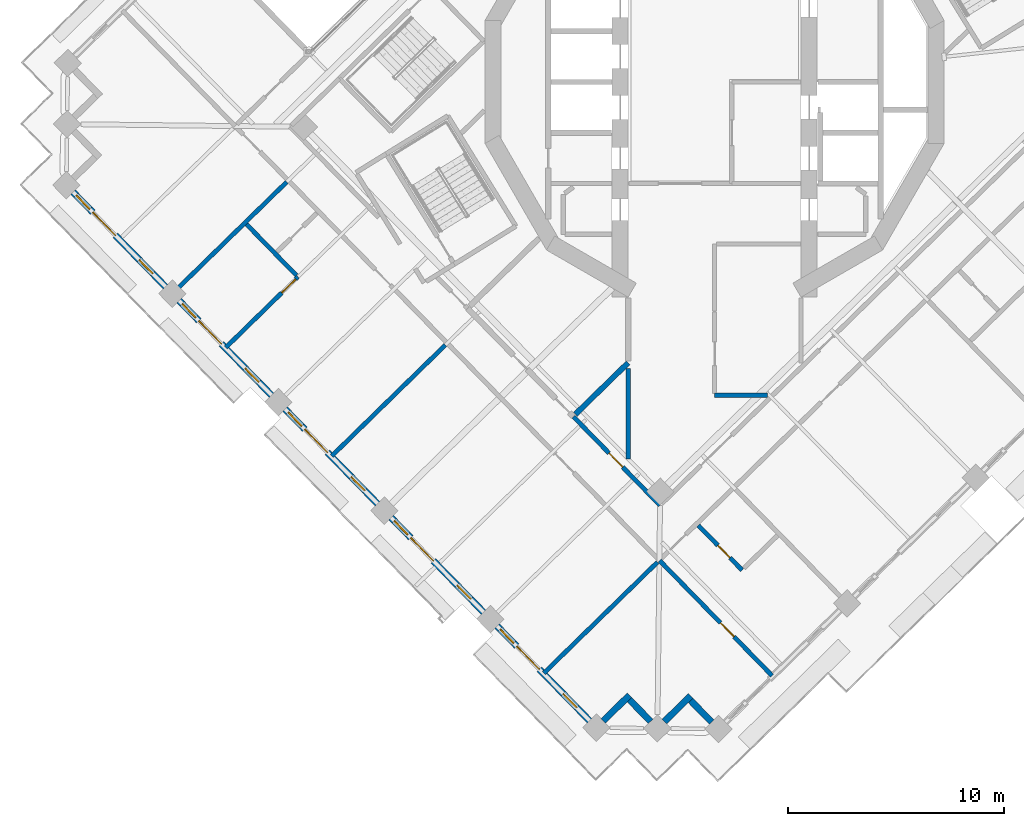
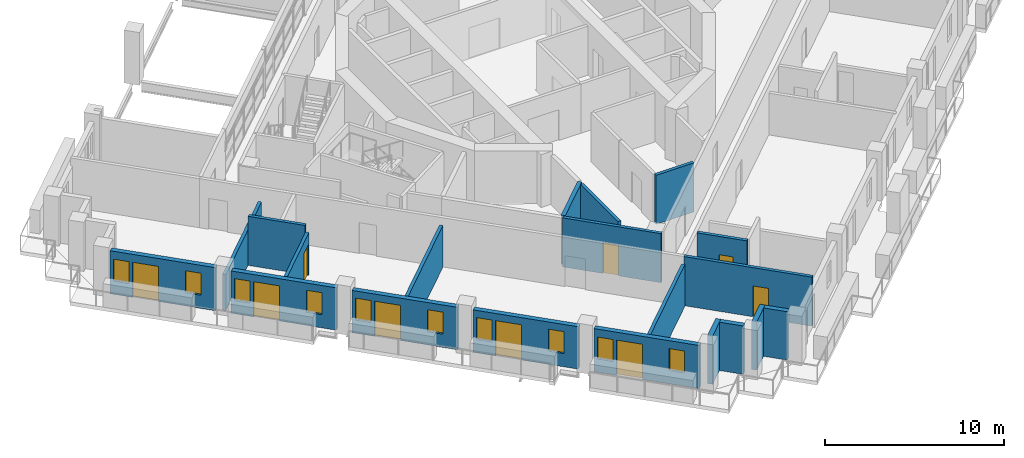
# One storey, part 7 of 21: 20 walls, 10 windows, 9 doors, 19 openings.
"""IFC4 building model written with IfcOpenShell, lengths in metres."""

from ifc_helpers import new_model, si_unit, direction, frame, frame_2d, origin, place, context, subcontext, project, spatial, rectangle, extrude, material, layer, layer_set, type_object, element, fill, save


model = new_model("IFC4")

# Units and contexts
model_context = context("Model", 3, precision=1e-05, world=origin(), true_north=direction((0.0, 1.0)))
body_context = subcontext(model_context, "Body", "Model", "MODEL_VIEW")
ifc_project = project(units=[si_unit("LENGTHUNIT", "METRE"), si_unit("AREAUNIT", "SQUARE_METRE"), si_unit("VOLUMEUNIT", "CUBIC_METRE"), si_unit("PLANEANGLEUNIT", "RADIAN"), si_unit("MASSUNIT", "GRAM", prefix="KILO")], contexts=[model_context])

# Site, building, storey
site_placement = place(None, origin())
site = spatial("IfcSite", under=ifc_project, at=site_placement, CompositionType="ELEMENT")
building_placement = place(site_placement, origin())
building = spatial("IfcBuilding", under=site, at=building_placement, Name="Cantera Rosa Tower", CompositionType="ELEMENT")
storey_placement = place(building_placement, frame((0.0, 0.0, 230.60009765625)))
storey = spatial("IfcBuildingStorey", under=building, at=storey_placement, Name="L50", CompositionType="ELEMENT", Elevation=230.60009765625)

# Wall, opening, door
ifc_material_1 = material(Name="Gypsum board partition")
ifc_layer_1 = layer(ifc_material_1, 0.199951171875)
ifc_layer_set_1 = layer_set([ifc_layer_1], Name="CORRIDOR WALL 200 H3350")
wall_type_1 = type_object("IfcWallType", Name="CORRIDOR WALL 200 H3350", PredefinedType="PARTITIONING", material=ifc_layer_set_1)
wall_1_placement = place(storey_placement, frame((-6.530517578125, -15.49560546875, 0.0), z_axis=(0.0, 0.0, 1.0), x_axis=(0.698835362026, -0.715282557303, 0.0)))
wall_1 = element("IfcWall", 1, at=wall_1_placement, inside=storey, type_object=wall_type_1, Name="CORRIDOR WALL L50-040", PredefinedType="PARTITIONING", context=body_context, shape_type="SweptSolid", body=[
    extrude(rectangle(XDim=5.729736328125, YDim=0.199951171875, at=frame_2d((2.86474609375, 0.0))), origin(), (0.0, 0.0, 1.0), 3.349853515625),
])
opening_1_placement = place(wall_1_placement, frame((2.351806640625, 0.0, 0.0)))
opening_1 = element("IfcOpeningElement", 2, at=opening_1_placement, cuts=wall_1, Name="Opening L50-011", PredefinedType="OPENING", context=body_context, shape_type="SweptSolid", body=[
    extrude(rectangle(XDim=0.89990234375, YDim=2.10009765625, at=frame_2d((0.449951171875, 1.050048828125))), frame((0.0, 0.10986328125, 0.0), z_axis=(0.0, -1.0, 0.0), x_axis=(1.0, 0.0, 0.0)), (0.0, 0.0, 1.0), 0.219970703125),
])
ifc_material_2 = material(Name="Timber door leaf", Category="wood")
door_type_1 = type_object("IfcDoorType", Name="SERVICE DOOR 900x2100", OperationType="NOTDEFINED", PredefinedType="DOOR", material=ifc_material_2)
door_1_placement = place(opening_1_placement, origin())
door_1 = element("IfcDoor", 3, at=door_1_placement, inside=storey, type_object=door_type_1, Name="DOOR L50-011", OperationType="NOTDEFINED", OverallHeight=2.10009765625, OverallWidth=0.89990234375, PredefinedType="DOOR", context=body_context, shape_type="SweptSolid", body=[
    extrude(rectangle(XDim=0.89990234375, YDim=2.10009765625, at=frame_2d((0.449951171875, 1.050048828125))), frame((0.0, 0.02490234375, 0.0), z_axis=(0.0, -1.0, 0.0), x_axis=(1.0, 0.0, 0.0)), (0.0, 0.0, 1.0), 0.050048828125),
])
fill(opening_1, door_1)

# Walls
wall_2_placement = place(storey_placement, frame((-4.0, -13.25537109375, 0.0), z_axis=(0.0, 0.0, 1.0), x_axis=(0.0, -1.0, 0.0)))
element("IfcWall", 4, at=wall_2_placement, inside=storey, type_object=wall_type_1, Name="CORRIDOR WALL L50-046", PredefinedType="PARTITIONING", context=body_context, shape_type="SweptSolid", body=[
    extrude(rectangle(XDim=4.1865234375, YDim=0.199951171875, at=frame_2d((2.09326171875, 0.0))), origin(), (0.0, 0.0, 1.0), 3.349853515625),
])
wall_3_placement = place(storey_placement, frame((0.0, -14.5, 0.0), z_axis=(0.0, 0.0, 1.0), x_axis=(1.0, 0.0, 0.0)))
element("IfcWall", 5, at=wall_3_placement, inside=storey, type_object=wall_type_1, Name="CORRIDOR WALL L50-056", PredefinedType="PARTITIONING", context=body_context, shape_type="SweptSolid", body=[
    extrude(rectangle(XDim=2.44775390625, YDim=0.199951171875, at=frame_2d((1.223876953125, 0.0))), origin(), (0.0, 0.0, 1.0), 3.349853515625),
])
ifc_material_3 = material(Name="Hollow clay masonry with cantera stone cladding", Category="masonry")
ifc_layer_2 = layer(ifc_material_3, 0.300048828125)
ifc_layer_set_2 = layer_set([ifc_layer_2], Name="EW-LOGGIA 300")
wall_type_2 = type_object("IfcWallType", Name="EW-LOGGIA 300", PredefinedType="SOLIDWALL", material=ifc_layer_set_2)
wall_4_placement = place(storey_placement, frame((-5.15283203125, -29.56982421875, 0.0), z_axis=(0.0, 0.0, 1.0), x_axis=(0.715316077832, 0.69880105094, 0.0)))
element("IfcWall", 6, at=wall_4_placement, inside=storey, type_object=wall_type_2, Name="EN-L50-W19a", PredefinedType="SOLIDWALL", context=body_context, shape_type="SweptSolid", body=[
    extrude(rectangle(XDim=1.699951171875, YDim=0.300048828125, at=frame_2d((0.85009765625, 0.0))), origin(), (0.0, 0.0, 1.0), 3.2998046875),
])
wall_5_placement = place(storey_placement, frame((-3.939208984375, -28.593994140625, 0.0), z_axis=(0.0, 0.0, 1.0), x_axis=(0.698861982187, -0.715256548278, 0.0)))
element("IfcWall", 7, at=wall_5_placement, inside=storey, type_object=wall_type_2, Name="EN-L50-W19b", PredefinedType="SOLIDWALL", context=body_context, shape_type="SweptSolid", body=[
    extrude(rectangle(XDim=1.39990234375, YDim=0.300048828125, at=frame_2d((0.699951171875, 0.0))), origin(), (0.0, 0.0, 1.0), 3.2998046875),
])
wall_6_placement = place(storey_placement, frame((-2.324462890625, -29.602783203125, 0.0), z_axis=(0.0, 0.0, 1.0), x_axis=(0.715316077832, 0.69880105094, 0.0)))
element("IfcWall", 8, at=wall_6_placement, inside=storey, type_object=wall_type_2, Name="EN-L50-W20a", PredefinedType="SOLIDWALL", context=body_context, shape_type="SweptSolid", body=[
    extrude(rectangle(XDim=1.699951171875, YDim=0.300048828125, at=frame_2d((0.85009765625, 0.0))), origin(), (0.0, 0.0, 1.0), 3.2998046875),
])
wall_7_placement = place(storey_placement, frame((-1.111083984375, -28.626953125, 0.0), z_axis=(0.0, 0.0, 1.0), x_axis=(0.698951192766, -0.71516937164, 0.0)))
element("IfcWall", 9, at=wall_7_placement, inside=storey, type_object=wall_type_2, Name="EN-L50-W20b", PredefinedType="SOLIDWALL", context=body_context, shape_type="SweptSolid", body=[
    extrude(rectangle(XDim=1.39990234375, YDim=0.300048828125, at=frame_2d((0.699951171875, 0.0))), origin(), (0.0, 0.0, 1.0), 3.2998046875),
])

# Wall, openings, windows, door
ifc_material_4 = material(Name="Hollow clay masonry with cantera stone cladding", Category="masonry")
ifc_layer_3 = layer(ifc_material_4, 0.300048828125)
ifc_layer_set_3 = layer_set([ifc_layer_3], Name="EW-LOGGIA 300 H2890")
wall_type_3 = type_object("IfcWallType", Name="EW-LOGGIA 300 H2890", PredefinedType="SOLIDWALL", material=ifc_layer_set_3)
wall_8_placement = place(storey_placement, frame((-24.783203125, -10.120849609375, 0.0), z_axis=(0.0, 0.0, 1.0), x_axis=(0.698800768177, -0.715316354067, 0.0)))
wall_8 = element("IfcWall", 10, at=wall_8_placement, inside=storey, type_object=wall_type_3, Name="EN-L50-W15", PredefinedType="SOLIDWALL", context=body_context, shape_type="SweptSolid", body=[
    extrude(rectangle(XDim=6.119873046875, YDim=0.300048828125, at=frame_2d((3.06005859375, 0.0))), origin(), (0.0, 0.0, 1.0), 2.889892578125),
])
opening_2_placement = place(wall_8_placement, frame((0.199951171875, 0.0, 0.89990234375)))
opening_2 = element("IfcOpeningElement", 11, at=opening_2_placement, cuts=wall_8, Name="Opening L50-W25", PredefinedType="OPENING", context=body_context, shape_type="SweptSolid", body=[
    extrude(rectangle(XDim=0.89990234375, YDim=1.5, at=frame_2d((0.449951171875, 0.75))), frame((0.0, 0.159912109375, 0.0), z_axis=(0.0, -1.0, 0.0), x_axis=(1.0, 0.0, 0.0)), (0.0, 0.0, 1.0), 0.320068359375),
])
opening_3_placement = place(wall_8_placement, frame((1.300048828125, 0.0, 0.0)))
opening_3 = element("IfcOpeningElement", 12, at=opening_3_placement, cuts=wall_8, Name="Opening L50-TD26", PredefinedType="OPENING", context=body_context, shape_type="SweptSolid", body=[
    extrude(rectangle(XDim=1.5, YDim=2.39990234375, at=frame_2d((0.75, 1.199951171875))), frame((0.0, 0.159912109375, 0.0), z_axis=(0.0, -1.0, 0.0), x_axis=(1.0, 0.0, 0.0)), (0.0, 0.0, 1.0), 0.320068359375),
])
opening_4_placement = place(wall_8_placement, frame((4.364990234375, 0.0, 0.89990234375)))
opening_4 = element("IfcOpeningElement", 13, at=opening_4_placement, cuts=wall_8, Name="Opening L50-W27", PredefinedType="OPENING", context=body_context, shape_type="SweptSolid", body=[
    extrude(rectangle(XDim=0.89990234375, YDim=1.5, at=frame_2d((0.449951171875, 0.75))), frame((0.0, 0.159912109375, 0.0), z_axis=(0.0, -1.0, 0.0), x_axis=(1.0, 0.0, 0.0)), (0.0, 0.0, 1.0), 0.320068359375),
])
ifc_material_5 = material(Name="Aluminium frame with clear glass", Category="aluminium")
window_type = type_object("IfcWindowType", Name="Residential window 900x1500", PartitioningType="SINGLE_PANEL", PredefinedType="WINDOW", material=ifc_material_5)
window_1_placement = place(opening_2_placement, origin())
window_1 = element("IfcWindow", 14, at=window_1_placement, inside=storey, type_object=window_type, Name="WINDOW L50-W25", OverallHeight=1.5, OverallWidth=0.89990234375, PartitioningType="SINGLE_PANEL", PredefinedType="WINDOW", context=body_context, shape_type="SweptSolid", body=[
    extrude(rectangle(XDim=0.89990234375, YDim=1.5, at=frame_2d((0.449951171875, 0.75))), frame((0.0, 0.030029296875, 0.0), z_axis=(0.0, -1.0, 0.0), x_axis=(1.0, 0.0, 0.0)), (0.0, 0.0, 1.0), 0.06005859375),
])
fill(opening_2, window_1)
window_2_placement = place(opening_4_placement, origin())
window_2 = element("IfcWindow", 15, at=window_2_placement, inside=storey, type_object=window_type, Name="WINDOW L50-W27", OverallHeight=1.5, OverallWidth=0.89990234375, PartitioningType="SINGLE_PANEL", PredefinedType="WINDOW", context=body_context, shape_type="SweptSolid", body=[
    extrude(rectangle(XDim=0.89990234375, YDim=1.5, at=frame_2d((0.449951171875, 0.75))), frame((0.0, 0.030029296875, 0.0), z_axis=(0.0, -1.0, 0.0), x_axis=(1.0, 0.0, 0.0)), (0.0, 0.0, 1.0), 0.06005859375),
])
fill(opening_4, window_2)
ifc_material_6 = material(Name="Aluminium frame with clear glass", Category="aluminium")
door_type_2 = type_object("IfcDoorType", Name="TD-R 1500x2400", OperationType="NOTDEFINED", PredefinedType="DOOR", material=ifc_material_6)
door_2_placement = place(opening_3_placement, origin())
door_2 = element("IfcDoor", 16, at=door_2_placement, inside=storey, type_object=door_type_2, Name="LOGGIA DOOR L50-TD26", OperationType="SLIDING_TO_LEFT", OverallHeight=2.39990234375, OverallWidth=1.5, PredefinedType="DOOR", context=body_context, shape_type="SweptSolid", body=[
    extrude(rectangle(XDim=1.5, YDim=2.39990234375, at=frame_2d((0.75, 1.199951171875))), frame((0.0, 0.02490234375, 0.0), z_axis=(0.0, -1.0, 0.0), x_axis=(1.0, 0.0, 0.0)), (0.0, 0.0, 1.0), 0.050048828125),
])
fill(opening_3, door_2)

wall_9_placement = place(storey_placement, frame((-19.87744140625, -15.142333984375, 0.0), z_axis=(0.0, 0.0, 1.0), x_axis=(0.698841120217, -0.71527693147, 0.0)))
wall_9 = element("IfcWall", 17, at=wall_9_placement, inside=storey, type_object=wall_type_3, Name="EN-L50-W16", PredefinedType="SOLIDWALL", context=body_context, shape_type="SweptSolid", body=[
    extrude(rectangle(XDim=6.119873046875, YDim=0.300048828125, at=frame_2d((3.06005859375, 0.0))), origin(), (0.0, 0.0, 1.0), 2.889892578125),
])
opening_5_placement = place(wall_9_placement, frame((0.199951171875, 0.0, 0.89990234375)))
opening_5 = element("IfcOpeningElement", 18, at=opening_5_placement, cuts=wall_9, Name="Opening L50-W28", PredefinedType="OPENING", context=body_context, shape_type="SweptSolid", body=[
    extrude(rectangle(XDim=0.89990234375, YDim=1.5, at=frame_2d((0.449951171875, 0.75))), frame((0.0, 0.159912109375, 0.0), z_axis=(0.0, -1.0, 0.0), x_axis=(1.0, 0.0, 0.0)), (0.0, 0.0, 1.0), 0.320068359375),
])
opening_6_placement = place(wall_9_placement, frame((1.300048828125, 0.0, 0.0)))
opening_6 = element("IfcOpeningElement", 19, at=opening_6_placement, cuts=wall_9, Name="Opening L50-TD29", PredefinedType="OPENING", context=body_context, shape_type="SweptSolid", body=[
    extrude(rectangle(XDim=1.5, YDim=2.39990234375, at=frame_2d((0.75, 1.199951171875))), frame((0.0, 0.159912109375, 0.0), z_axis=(0.0, -1.0, 0.0), x_axis=(1.0, 0.0, 0.0)), (0.0, 0.0, 1.0), 0.320068359375),
])
opening_7_placement = place(wall_9_placement, frame((4.364990234375, 0.0, 0.89990234375)))
opening_7 = element("IfcOpeningElement", 20, at=opening_7_placement, cuts=wall_9, Name="Opening L50-W30", PredefinedType="OPENING", context=body_context, shape_type="SweptSolid", body=[
    extrude(rectangle(XDim=0.89990234375, YDim=1.5, at=frame_2d((0.449951171875, 0.75))), frame((0.0, 0.159912109375, 0.0), z_axis=(0.0, -1.0, 0.0), x_axis=(1.0, 0.0, 0.0)), (0.0, 0.0, 1.0), 0.320068359375),
])
window_3_placement = place(opening_5_placement, origin())
window_3 = element("IfcWindow", 21, at=window_3_placement, inside=storey, type_object=window_type, Name="WINDOW L50-W28", OverallHeight=1.5, OverallWidth=0.89990234375, PartitioningType="SINGLE_PANEL", PredefinedType="WINDOW", context=body_context, shape_type="SweptSolid", body=[
    extrude(rectangle(XDim=0.89990234375, YDim=1.5, at=frame_2d((0.449951171875, 0.75))), frame((0.0, 0.030029296875, 0.0), z_axis=(0.0, -1.0, 0.0), x_axis=(1.0, 0.0, 0.0)), (0.0, 0.0, 1.0), 0.06005859375),
])
fill(opening_5, window_3)
window_4_placement = place(opening_7_placement, origin())
window_4 = element("IfcWindow", 22, at=window_4_placement, inside=storey, type_object=window_type, Name="WINDOW L50-W30", OverallHeight=1.5, OverallWidth=0.89990234375, PartitioningType="SINGLE_PANEL", PredefinedType="WINDOW", context=body_context, shape_type="SweptSolid", body=[
    extrude(rectangle(XDim=0.89990234375, YDim=1.5, at=frame_2d((0.449951171875, 0.75))), frame((0.0, 0.030029296875, 0.0), z_axis=(0.0, -1.0, 0.0), x_axis=(1.0, 0.0, 0.0)), (0.0, 0.0, 1.0), 0.06005859375),
])
fill(opening_7, window_4)
door_3_placement = place(opening_6_placement, origin())
door_3 = element("IfcDoor", 23, at=door_3_placement, inside=storey, type_object=door_type_2, Name="LOGGIA DOOR L50-TD29", OperationType="SLIDING_TO_LEFT", OverallHeight=2.39990234375, OverallWidth=1.5, PredefinedType="DOOR", context=body_context, shape_type="SweptSolid", body=[
    extrude(rectangle(XDim=1.5, YDim=2.39990234375, at=frame_2d((0.75, 1.199951171875))), frame((0.0, 0.02490234375, 0.0), z_axis=(0.0, -1.0, 0.0), x_axis=(1.0, 0.0, 0.0)), (0.0, 0.0, 1.0), 0.050048828125),
])
fill(opening_6, door_3)

wall_10_placement = place(storey_placement, frame((-14.9716796875, -20.16357421875, 0.0), z_axis=(0.0, 0.0, 1.0), x_axis=(0.698841120217, -0.71527693147, 0.0)))
wall_10 = element("IfcWall", 24, at=wall_10_placement, inside=storey, type_object=wall_type_3, Name="EN-L50-W17", PredefinedType="SOLIDWALL", context=body_context, shape_type="SweptSolid", body=[
    extrude(rectangle(XDim=6.119873046875, YDim=0.300048828125, at=frame_2d((3.06005859375, 0.0))), origin(), (0.0, 0.0, 1.0), 2.889892578125),
])
opening_8_placement = place(wall_10_placement, frame((0.199951171875, 0.0, 0.89990234375)))
opening_8 = element("IfcOpeningElement", 25, at=opening_8_placement, cuts=wall_10, Name="Opening L50-W31", PredefinedType="OPENING", context=body_context, shape_type="SweptSolid", body=[
    extrude(rectangle(XDim=0.89990234375, YDim=1.5, at=frame_2d((0.449951171875, 0.75))), frame((0.0, 0.159912109375, 0.0), z_axis=(0.0, -1.0, 0.0), x_axis=(1.0, 0.0, 0.0)), (0.0, 0.0, 1.0), 0.320068359375),
])
opening_9_placement = place(wall_10_placement, frame((1.300048828125, 0.0, 0.0)))
opening_9 = element("IfcOpeningElement", 26, at=opening_9_placement, cuts=wall_10, Name="Opening L50-TD32", PredefinedType="OPENING", context=body_context, shape_type="SweptSolid", body=[
    extrude(rectangle(XDim=1.5, YDim=2.39990234375, at=frame_2d((0.75, 1.199951171875))), frame((0.0, 0.159912109375, 0.0), z_axis=(0.0, -1.0, 0.0), x_axis=(1.0, 0.0, 0.0)), (0.0, 0.0, 1.0), 0.320068359375),
])
opening_10_placement = place(wall_10_placement, frame((4.364990234375, 0.0, 0.89990234375)))
opening_10 = element("IfcOpeningElement", 27, at=opening_10_placement, cuts=wall_10, Name="Opening L50-W33", PredefinedType="OPENING", context=body_context, shape_type="SweptSolid", body=[
    extrude(rectangle(XDim=0.89990234375, YDim=1.5, at=frame_2d((0.449951171875, 0.75))), frame((0.0, 0.159912109375, 0.0), z_axis=(0.0, -1.0, 0.0), x_axis=(1.0, 0.0, 0.0)), (0.0, 0.0, 1.0), 0.320068359375),
])
window_5_placement = place(opening_8_placement, origin())
window_5 = element("IfcWindow", 28, at=window_5_placement, inside=storey, type_object=window_type, Name="WINDOW L50-W31", OverallHeight=1.5, OverallWidth=0.89990234375, PartitioningType="SINGLE_PANEL", PredefinedType="WINDOW", context=body_context, shape_type="SweptSolid", body=[
    extrude(rectangle(XDim=0.89990234375, YDim=1.5, at=frame_2d((0.449951171875, 0.75))), frame((0.0, 0.030029296875, 0.0), z_axis=(0.0, -1.0, 0.0), x_axis=(1.0, 0.0, 0.0)), (0.0, 0.0, 1.0), 0.06005859375),
])
fill(opening_8, window_5)
window_6_placement = place(opening_10_placement, origin())
window_6 = element("IfcWindow", 29, at=window_6_placement, inside=storey, type_object=window_type, Name="WINDOW L50-W33", OverallHeight=1.5, OverallWidth=0.89990234375, PartitioningType="SINGLE_PANEL", PredefinedType="WINDOW", context=body_context, shape_type="SweptSolid", body=[
    extrude(rectangle(XDim=0.89990234375, YDim=1.5, at=frame_2d((0.449951171875, 0.75))), frame((0.0, 0.030029296875, 0.0), z_axis=(0.0, -1.0, 0.0), x_axis=(1.0, 0.0, 0.0)), (0.0, 0.0, 1.0), 0.06005859375),
])
fill(opening_10, window_6)
door_4_placement = place(opening_9_placement, origin())
door_4 = element("IfcDoor", 30, at=door_4_placement, inside=storey, type_object=door_type_2, Name="LOGGIA DOOR L50-TD32", OperationType="SLIDING_TO_LEFT", OverallHeight=2.39990234375, OverallWidth=1.5, PredefinedType="DOOR", context=body_context, shape_type="SweptSolid", body=[
    extrude(rectangle(XDim=1.5, YDim=2.39990234375, at=frame_2d((0.75, 1.199951171875))), frame((0.0, 0.02490234375, 0.0), z_axis=(0.0, -1.0, 0.0), x_axis=(1.0, 0.0, 0.0)), (0.0, 0.0, 1.0), 0.050048828125),
])
fill(opening_9, door_4)

ifc_material_7 = material(Name="Hollow clay masonry with cantera stone cladding", Category="masonry")
ifc_layer_4 = layer(ifc_material_7, 0.300048828125)
ifc_layer_set_4 = layer_set([ifc_layer_4], Name="EW-LOGGIA 300 H2940")
wall_type_4 = type_object("IfcWallType", Name="EW-LOGGIA 300 H2940", PredefinedType="SOLIDWALL", material=ifc_layer_set_4)
wall_11_placement = place(storey_placement, frame((-29.689208984375, -5.099609375, 0.0), z_axis=(0.0, 0.0, 1.0), x_axis=(0.69882117953, -0.715296413412, 0.0)))
wall_11 = element("IfcWall", 31, at=wall_11_placement, inside=storey, type_object=wall_type_4, Name="EN-L50-W14", PredefinedType="SOLIDWALL", context=body_context, shape_type="SweptSolid", body=[
    extrude(rectangle(XDim=6.1201171875, YDim=0.300048828125, at=frame_2d((3.06005859375, 0.0))), origin(), (0.0, 0.0, 1.0), 2.93994140625),
])
opening_11_placement = place(wall_11_placement, frame((0.199951171875, 0.0, 0.89990234375)))
opening_11 = element("IfcOpeningElement", 32, at=opening_11_placement, cuts=wall_11, Name="Opening L50-W22", PredefinedType="OPENING", context=body_context, shape_type="SweptSolid", body=[
    extrude(rectangle(XDim=0.89990234375, YDim=1.5, at=frame_2d((0.449951171875, 0.75))), frame((0.0, 0.159912109375, 0.0), z_axis=(0.0, -1.0, 0.0), x_axis=(1.0, 0.0, 0.0)), (0.0, 0.0, 1.0), 0.320068359375),
])
opening_12_placement = place(wall_11_placement, frame((1.300048828125, 0.0, 0.0)))
opening_12 = element("IfcOpeningElement", 33, at=opening_12_placement, cuts=wall_11, Name="Opening L50-TD23", PredefinedType="OPENING", context=body_context, shape_type="SweptSolid", body=[
    extrude(rectangle(XDim=1.5, YDim=2.39990234375, at=frame_2d((0.75, 1.199951171875))), frame((0.0, 0.159912109375, 0.0), z_axis=(0.0, -1.0, 0.0), x_axis=(1.0, 0.0, 0.0)), (0.0, 0.0, 1.0), 0.320068359375),
])
opening_13_placement = place(wall_11_placement, frame((4.364990234375, 0.0, 0.89990234375)))
opening_13 = element("IfcOpeningElement", 34, at=opening_13_placement, cuts=wall_11, Name="Opening L50-W24", PredefinedType="OPENING", context=body_context, shape_type="SweptSolid", body=[
    extrude(rectangle(XDim=0.89990234375, YDim=1.5, at=frame_2d((0.449951171875, 0.75))), frame((0.0, 0.159912109375, 0.0), z_axis=(0.0, -1.0, 0.0), x_axis=(1.0, 0.0, 0.0)), (0.0, 0.0, 1.0), 0.320068359375),
])
window_7_placement = place(opening_11_placement, origin())
window_7 = element("IfcWindow", 35, at=window_7_placement, inside=storey, type_object=window_type, Name="WINDOW L50-W22", OverallHeight=1.5, OverallWidth=0.89990234375, PartitioningType="SINGLE_PANEL", PredefinedType="WINDOW", context=body_context, shape_type="SweptSolid", body=[
    extrude(rectangle(XDim=0.89990234375, YDim=1.5, at=frame_2d((0.449951171875, 0.75))), frame((0.0, 0.030029296875, 0.0), z_axis=(0.0, -1.0, 0.0), x_axis=(1.0, 0.0, 0.0)), (0.0, 0.0, 1.0), 0.06005859375),
])
fill(opening_11, window_7)
window_8_placement = place(opening_13_placement, origin())
window_8 = element("IfcWindow", 36, at=window_8_placement, inside=storey, type_object=window_type, Name="WINDOW L50-W24", OverallHeight=1.5, OverallWidth=0.89990234375, PartitioningType="SINGLE_PANEL", PredefinedType="WINDOW", context=body_context, shape_type="SweptSolid", body=[
    extrude(rectangle(XDim=0.89990234375, YDim=1.5, at=frame_2d((0.449951171875, 0.75))), frame((0.0, 0.030029296875, 0.0), z_axis=(0.0, -1.0, 0.0), x_axis=(1.0, 0.0, 0.0)), (0.0, 0.0, 1.0), 0.06005859375),
])
fill(opening_13, window_8)
door_5_placement = place(opening_12_placement, origin())
door_5 = element("IfcDoor", 37, at=door_5_placement, inside=storey, type_object=door_type_2, Name="LOGGIA DOOR L50-TD23", OperationType="SLIDING_TO_LEFT", OverallHeight=2.39990234375, OverallWidth=1.5, PredefinedType="DOOR", context=body_context, shape_type="SweptSolid", body=[
    extrude(rectangle(XDim=1.5, YDim=2.39990234375, at=frame_2d((0.75, 1.199951171875))), frame((0.0, 0.02490234375, 0.0), z_axis=(0.0, -1.0, 0.0), x_axis=(1.0, 0.0, 0.0)), (0.0, 0.0, 1.0), 0.050048828125),
])
fill(opening_12, door_5)

wall_12_placement = place(storey_placement, frame((-10.06591796875, -25.184814453125, 0.0), z_axis=(0.0, 0.0, 1.0), x_axis=(0.69882117953, -0.715296413412, 0.0)))
wall_12 = element("IfcWall", 38, at=wall_12_placement, inside=storey, type_object=wall_type_4, Name="EN-L50-W18", PredefinedType="SOLIDWALL", context=body_context, shape_type="SweptSolid", body=[
    extrude(rectangle(XDim=6.1201171875, YDim=0.300048828125, at=frame_2d((3.06005859375, 0.0))), origin(), (0.0, 0.0, 1.0), 2.93994140625),
])
opening_14_placement = place(wall_12_placement, frame((0.199951171875, 0.0, 0.89990234375)))
opening_14 = element("IfcOpeningElement", 39, at=opening_14_placement, cuts=wall_12, Name="Opening L50-W34", PredefinedType="OPENING", context=body_context, shape_type="SweptSolid", body=[
    extrude(rectangle(XDim=0.89990234375, YDim=1.5, at=frame_2d((0.449951171875, 0.75))), frame((0.0, 0.159912109375, 0.0), z_axis=(0.0, -1.0, 0.0), x_axis=(1.0, 0.0, 0.0)), (0.0, 0.0, 1.0), 0.320068359375),
])
opening_15_placement = place(wall_12_placement, frame((1.300048828125, 0.0, 0.0)))
opening_15 = element("IfcOpeningElement", 40, at=opening_15_placement, cuts=wall_12, Name="Opening L50-TD35", PredefinedType="OPENING", context=body_context, shape_type="SweptSolid", body=[
    extrude(rectangle(XDim=1.5, YDim=2.39990234375, at=frame_2d((0.75, 1.199951171875))), frame((0.0, 0.159912109375, 0.0), z_axis=(0.0, -1.0, 0.0), x_axis=(1.0, 0.0, 0.0)), (0.0, 0.0, 1.0), 0.320068359375),
])
opening_16_placement = place(wall_12_placement, frame((4.364990234375, 0.0, 0.89990234375)))
opening_16 = element("IfcOpeningElement", 41, at=opening_16_placement, cuts=wall_12, Name="Opening L50-W36", PredefinedType="OPENING", context=body_context, shape_type="SweptSolid", body=[
    extrude(rectangle(XDim=0.89990234375, YDim=1.5, at=frame_2d((0.449951171875, 0.75))), frame((0.0, 0.159912109375, 0.0), z_axis=(0.0, -1.0, 0.0), x_axis=(1.0, 0.0, 0.0)), (0.0, 0.0, 1.0), 0.320068359375),
])
window_9_placement = place(opening_14_placement, origin())
window_9 = element("IfcWindow", 42, at=window_9_placement, inside=storey, type_object=window_type, Name="WINDOW L50-W34", OverallHeight=1.5, OverallWidth=0.89990234375, PartitioningType="SINGLE_PANEL", PredefinedType="WINDOW", context=body_context, shape_type="SweptSolid", body=[
    extrude(rectangle(XDim=0.89990234375, YDim=1.5, at=frame_2d((0.449951171875, 0.75))), frame((0.0, 0.030029296875, 0.0), z_axis=(0.0, -1.0, 0.0), x_axis=(1.0, 0.0, 0.0)), (0.0, 0.0, 1.0), 0.06005859375),
])
fill(opening_14, window_9)
window_10_placement = place(opening_16_placement, origin())
window_10 = element("IfcWindow", 43, at=window_10_placement, inside=storey, type_object=window_type, Name="WINDOW L50-W36", OverallHeight=1.5, OverallWidth=0.89990234375, PartitioningType="SINGLE_PANEL", PredefinedType="WINDOW", context=body_context, shape_type="SweptSolid", body=[
    extrude(rectangle(XDim=0.89990234375, YDim=1.5, at=frame_2d((0.449951171875, 0.75))), frame((0.0, 0.030029296875, 0.0), z_axis=(0.0, -1.0, 0.0), x_axis=(1.0, 0.0, 0.0)), (0.0, 0.0, 1.0), 0.06005859375),
])
fill(opening_16, window_10)
door_6_placement = place(opening_15_placement, origin())
door_6 = element("IfcDoor", 44, at=door_6_placement, inside=storey, type_object=door_type_2, Name="LOGGIA DOOR L50-TD35", OperationType="SLIDING_TO_LEFT", OverallHeight=2.39990234375, OverallWidth=1.5, PredefinedType="DOOR", context=body_context, shape_type="SweptSolid", body=[
    extrude(rectangle(XDim=1.5, YDim=2.39990234375, at=frame_2d((0.75, 1.199951171875))), frame((0.0, 0.02490234375, 0.0), z_axis=(0.0, -1.0, 0.0), x_axis=(1.0, 0.0, 0.0)), (0.0, 0.0, 1.0), 0.050048828125),
])
fill(opening_15, door_6)

# Wall, opening, door
ifc_material_8 = material(Name="Gypsum board partition")
ifc_layer_5 = layer(ifc_material_8, 0.199951171875)
ifc_layer_set_5 = layer_set([ifc_layer_5], Name="PARTITION 200 H2850")
wall_type_5 = type_object("IfcWallType", Name="PARTITION 200 H2850", PredefinedType="PARTITIONING", material=ifc_layer_set_5)
wall_13_placement = place(storey_placement, frame((-19.283203125, -9.025146484375, 0.0), z_axis=(0.0, 0.0, 1.0), x_axis=(-0.715241248144, -0.698877640903, 0.0)))
wall_13 = element("IfcWall", 45, at=wall_13_placement, inside=storey, type_object=wall_type_5, Name="PARTITION L50-006", PredefinedType="PARTITIONING", context=body_context, shape_type="SweptSolid", body=[
    extrude(rectangle(XDim=4.669921875, YDim=0.199951171875, at=frame_2d((2.3349609375, 0.0))), origin(), (0.0, 0.0, 1.0), 2.849853515625),
])
opening_17_placement = place(wall_13_placement, frame((0.14990234375, 0.0, 0.0)))
opening_17 = element("IfcOpeningElement", 46, at=opening_17_placement, cuts=wall_13, Name="Opening L50-041", PredefinedType="OPENING", context=body_context, shape_type="SweptSolid", body=[
    extrude(rectangle(XDim=0.89990234375, YDim=2.10009765625, at=frame_2d((0.449951171875, 1.050048828125))), frame((0.0, 0.10986328125, 0.0), z_axis=(0.0, -1.0, 0.0), x_axis=(1.0, 0.0, 0.0)), (0.0, 0.0, 1.0), 0.219970703125),
])
ifc_material_9 = material(Name="Timber door leaf", Category="wood")
door_type_3 = type_object("IfcDoorType", Name="ROOM DOOR 900x2100", OperationType="NOTDEFINED", PredefinedType="DOOR", material=ifc_material_9)
door_7_placement = place(opening_17_placement, origin())
door_7 = element("IfcDoor", 47, at=door_7_placement, inside=storey, type_object=door_type_3, Name="DOOR L50-041", OperationType="NOTDEFINED", OverallHeight=2.10009765625, OverallWidth=0.89990234375, PredefinedType="DOOR", context=body_context, shape_type="SweptSolid", body=[
    extrude(rectangle(XDim=0.89990234375, YDim=2.10009765625, at=frame_2d((0.449951171875, 1.050048828125))), frame((0.0, 0.02490234375, 0.0), z_axis=(0.0, -1.0, 0.0), x_axis=(1.0, 0.0, 0.0)), (0.0, 0.0, 1.0), 0.050048828125),
])
fill(opening_17, door_7)

# Wall
ifc_material_10 = material(Name="Gypsum board partition")
ifc_layer_6 = layer(ifc_material_10, 0.199951171875)
ifc_layer_set_6 = layer_set([ifc_layer_6], Name="PARTITION 200 H3350")
wall_type_6 = type_object("IfcWallType", Name="PARTITION 200 H3350", PredefinedType="PARTITIONING", material=ifc_layer_set_6)
wall_14_placement = place(storey_placement, frame((-19.352783203125, -8.95361328125, 0.0), z_axis=(0.0, 0.0, 1.0), x_axis=(-0.698872066816, 0.715246694661, 0.0)))
element("IfcWall", 48, at=wall_14_placement, inside=storey, type_object=wall_type_6, Name="PARTITION L50-007", PredefinedType="PARTITIONING", context=body_context, shape_type="SweptSolid", body=[
    extrude(rectangle(XDim=3.31005859375, YDim=0.199951171875, at=frame_2d((1.655029296875, 0.0))), origin(), (0.0, 0.0, 1.0), 3.349853515625),
])

# Wall, opening, door
wall_15_placement = place(storey_placement, frame((-2.5419921875, -22.15380859375, 0.0), z_axis=(0.0, 0.0, 1.0), x_axis=(0.698833512296, -0.715284364496, 0.0)))
wall_15 = element("IfcWall", 49, at=wall_15_placement, inside=storey, type_object=wall_type_6, Name="PARTITION L50-053", PredefinedType="PARTITIONING", context=body_context, shape_type="SweptSolid", body=[
    extrude(rectangle(XDim=7.449951171875, YDim=0.199951171875, at=frame_2d((3.72509765625, 0.0))), origin(), (0.0, 0.0, 1.0), 3.349853515625),
])
opening_18_placement = place(wall_15_placement, frame((4.030029296875, 0.0, 0.0)))
opening_18 = element("IfcOpeningElement", 50, at=opening_18_placement, cuts=wall_15, Name="Opening L50-049", PredefinedType="OPENING", context=body_context, shape_type="SweptSolid", body=[
    extrude(rectangle(XDim=0.89990234375, YDim=2.10009765625, at=frame_2d((0.449951171875, 1.050048828125))), frame((0.0, 0.10986328125, 0.0), z_axis=(0.0, -1.0, 0.0), x_axis=(1.0, 0.0, 0.0)), (0.0, 0.0, 1.0), 0.219970703125),
])
door_8_placement = place(opening_18_placement, origin())
door_8 = element("IfcDoor", 51, at=door_8_placement, inside=storey, type_object=door_type_3, Name="DOOR L50-049", OperationType="NOTDEFINED", OverallHeight=2.10009765625, OverallWidth=0.89990234375, PredefinedType="DOOR", context=body_context, shape_type="SweptSolid", body=[
    extrude(rectangle(XDim=0.89990234375, YDim=2.10009765625, at=frame_2d((0.449951171875, 1.050048828125))), frame((0.0, 0.02490234375, 0.0), z_axis=(0.0, -1.0, 0.0), x_axis=(1.0, 0.0, 0.0)), (0.0, 0.0, 1.0), 0.050048828125),
])
fill(opening_18, door_8)

wall_16_placement = place(storey_placement, frame((1.271484375, -22.59423828125, 0.0), z_axis=(0.0, 0.0, 1.0), x_axis=(-0.698807658641, 0.715309622628, 0.0)))
wall_16 = element("IfcWall", 52, at=wall_16_placement, inside=storey, type_object=wall_type_6, Name="PARTITION L50-065", PredefinedType="PARTITIONING", context=body_context, shape_type="SweptSolid", body=[
    extrude(rectangle(XDim=2.899658203125, YDim=0.199951171875, at=frame_2d((1.44970703125, 0.0))), origin(), (0.0, 0.0, 1.0), 3.349853515625),
])
opening_19_placement = place(wall_16_placement, frame((0.800048828125, 0.0, 0.0)))
opening_19 = element("IfcOpeningElement", 53, at=opening_19_placement, cuts=wall_16, Name="Opening L50-048", PredefinedType="OPENING", context=body_context, shape_type="SweptSolid", body=[
    extrude(rectangle(XDim=0.800048828125, YDim=2.10009765625, at=frame_2d((0.39990234375, 1.050048828125))), frame((0.0, 0.10986328125, 0.0), z_axis=(0.0, -1.0, 0.0), x_axis=(1.0, 0.0, 0.0)), (0.0, 0.0, 1.0), 0.219970703125),
])
ifc_material_11 = material(Name="Timber door leaf", Category="wood")
door_type_4 = type_object("IfcDoorType", Name="BATHROOM DOOR 800x2100", OperationType="NOTDEFINED", PredefinedType="DOOR", material=ifc_material_11)
door_9_placement = place(opening_19_placement, origin())
door_9 = element("IfcDoor", 54, at=door_9_placement, inside=storey, type_object=door_type_4, Name="DOOR L50-048", OperationType="NOTDEFINED", OverallHeight=2.10009765625, OverallWidth=0.800048828125, PredefinedType="DOOR", context=body_context, shape_type="SweptSolid", body=[
    extrude(rectangle(XDim=0.800048828125, YDim=2.10009765625, at=frame_2d((0.39990234375, 1.050048828125))), frame((0.0, 0.02490234375, 0.0), z_axis=(0.0, -1.0, 0.0), x_axis=(1.0, 0.0, 0.0)), (0.0, 0.0, 1.0), 0.050048828125),
])
fill(opening_19, door_9)

# Walls
ifc_material_12 = material(Name="Gypsum board partition")
ifc_layer_7 = layer(ifc_material_12, 0.199951171875)
ifc_layer_set_7 = layer_set([ifc_layer_7], Name="PARTY WALL 200 H2450")
wall_type_7 = type_object("IfcWallType", Name="PARTY WALL 200 H2450", PredefinedType="PARTITIONING", material=ifc_layer_set_7)
wall_17_placement = place(storey_placement, frame((-25.076416015625, -9.778076171875, 0.0), z_axis=(0.0, 0.0, 1.0), x_axis=(0.715290686101, 0.698827041819, 0.0)))
element("IfcWall", 55, at=wall_17_placement, inside=storey, type_object=wall_type_7, Name="PARTY WALL L50-001", PredefinedType="PARTITIONING", context=body_context, shape_type="SweptSolid", body=[
    extrude(rectangle(XDim=7.3701171875, YDim=0.199951171875, at=frame_2d((3.68505859375, 0.0))), origin(), (0.0, 0.0, 1.0), 2.449951171875),
])
ifc_material_13 = material(Name="Gypsum board partition")
ifc_layer_8 = layer(ifc_material_13, 0.199951171875)
ifc_layer_set_8 = layer_set([ifc_layer_8], Name="PARTY WALL 200 H2850")
wall_type_8 = type_object("IfcWallType", Name="PARTY WALL 200 H2850", PredefinedType="PARTITIONING", material=ifc_layer_set_8)
for number, where, z_axis, x_axis, name in (
    (56, (-12.460205078125, -12.173583984375, 0.0), (0.0, 0.0, 1.0), (-0.715280026246, -0.698837952642, 0.0), "PARTY WALL L50-018"),
    (57, (-7.899169921875, -27.35986328125, 0.0), (0.0, 0.0, 1.0), (0.715296247667, 0.698821349183, 0.0), "PARTY WALL L50-028"),
):
    element("IfcWall", number, at=place(storey_placement, frame(where, z_axis=z_axis, x_axis=x_axis)), inside=storey, type_object=wall_type_8, Name=name, PredefinedType="PARTITIONING", context=body_context, shape_type="SweptSolid", body=[
        extrude(rectangle(XDim=7.35009765625, YDim=0.199951171875, at=frame_2d((3.675048828125, 0.0))), origin(), (0.0, 0.0, 1.0), 2.849853515625),
    ])
ifc_material_14 = material(Name="Masonry blockwork", Category="masonry")
ifc_layer_9 = layer(ifc_material_14, 0.25)
ifc_layer_set_9 = layer_set([ifc_layer_9], Name="SHAFT WALL 250 H3350")
wall_type_9 = type_object("IfcWallType", Name="SHAFT WALL 250 H3350", PredefinedType="SOLIDWALL", material=ifc_layer_set_9)
wall_18_placement = place(storey_placement, frame((-4.0, -12.995361328125, 0.0), z_axis=(0.0, 0.0, 1.0), x_axis=(-0.715310564212, -0.698806694822, 0.0)))
element("IfcWall", 58, at=wall_18_placement, inside=storey, type_object=wall_type_9, Name="SHAFT WALL L50-045", PredefinedType="SOLIDWALL", context=body_context, shape_type="SweptSolid", body=[
    extrude(rectangle(XDim=3.417236328125, YDim=0.25, at=frame_2d((1.70849609375, 0.0))), origin(), (0.0, 0.0, 1.0), 3.349853515625),
])

save(model, "model.ifc")
